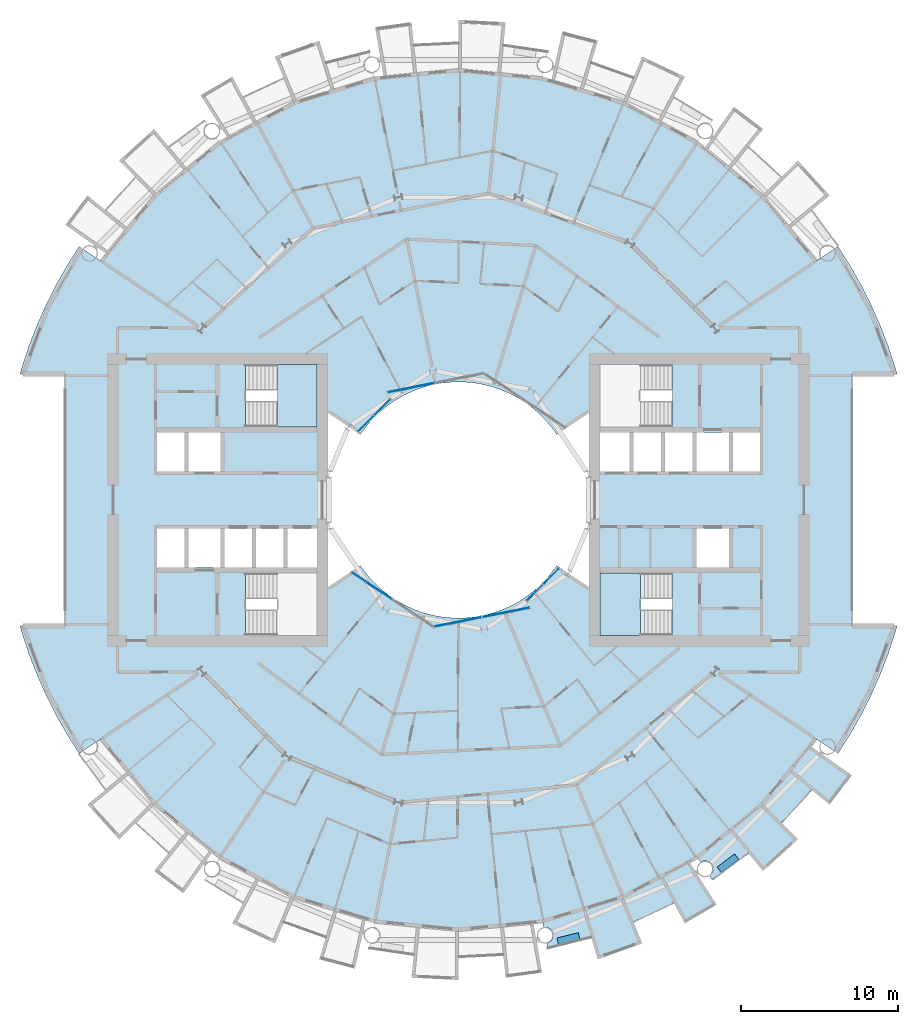
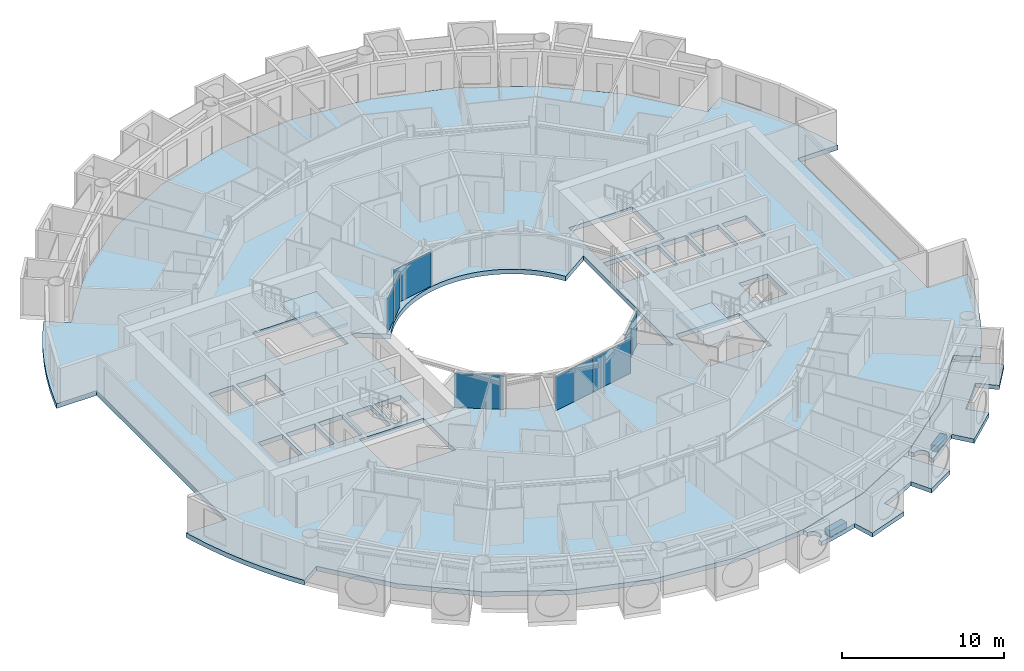
# One storey, part 10 of 26: 8 plates, 7 slabs, 7 elements without a shape of their own.
"""IFC4 building model written with IfcOpenShell, lengths in metres."""

from ifc_helpers import new_model, si_unit, direction, frame, origin, origin_2d, place, context, subcontext, project, spatial, polyline, rectangle, outline, extrude, material, layer, layer_set, type_object, element, aggregate, save


model = new_model("IFC4")

# Units and contexts
model_context = context("Model", 3, precision=1e-05, world=origin(), true_north=direction((0.0, 1.0)))
body_context = subcontext(model_context, "Body", "Model", "MODEL_VIEW")
ifc_project = project(units=[si_unit("LENGTHUNIT", "METRE"), si_unit("AREAUNIT", "SQUARE_METRE"), si_unit("VOLUMEUNIT", "CUBIC_METRE"), si_unit("PLANEANGLEUNIT", "RADIAN"), si_unit("MASSUNIT", "GRAM", prefix="KILO")], contexts=[model_context])

# Site, building, storey
site_placement = place(None, origin())
site = spatial("IfcSite", under=ifc_project, at=site_placement, CompositionType="ELEMENT")
building_placement = place(site_placement, origin())
building = spatial("IfcBuilding", under=site, at=building_placement, Name="Maasbend Ring Residences", CompositionType="ELEMENT")
storey_placement = place(building_placement, frame((0.0, 0.0, 66.64990234375)))
storey = spatial("IfcBuildingStorey", under=building, at=storey_placement, Name="L18", CompositionType="ELEMENT", Elevation=66.64990234375)

# Stair, slab
ifc_material_1 = material(Name="Concrete C40/50", Category="concrete")
stair_type = type_object("IfcStairType", Name="CORE STAIR 18 RISERS", PredefinedType="HALF_TURN_STAIR", material=ifc_material_1)
stair_1_placement = place(storey_placement, origin())
stair_1 = element("IfcStair", 1, at=stair_1_placement, inside=storey, type_object=stair_type, Name="L18 Exit stair ST-E2", PredefinedType="HALF_TURN_STAIR")
ifc_material_2 = material(Name="Concrete C40/50", Category="concrete")
ifc_layer_1 = layer(ifc_material_2, 0.199951171875)
ifc_layer_set_1 = layer_set([ifc_layer_1], Name="Concrete C40/50")
slab_type_1 = type_object("IfcSlabType", Name="CORE STAIR LANDING 200", PredefinedType="LANDING", material=ifc_layer_set_1)
slab_1_placement = place(storey_placement, frame((0.0, 0.0, 1.3251953125)))
slab_1 = element("IfcSlab", 2, at=slab_1_placement, type_object=slab_type_1, Name="ST-E2 landing 1", PredefinedType="LANDING", context=body_context, shape_type="SweptSolid", body=[
    extrude(outline(polyline([(11.550048828125, -4.64990234375), (9.0, -4.64990234375), (9.0, -8.60009765625), (11.550048828125, -8.60009765625), (11.550048828125, -4.64990234375)])), origin(), (0.0, 0.0, 1.0), 0.199951171875),
])
aggregate(stair_1, [slab_1])

stair_2_placement = place(storey_placement, origin())
stair_2 = element("IfcStair", 3, at=stair_2_placement, inside=storey, type_object=stair_type, Name="L18 Exit stair ST-W2", PredefinedType="HALF_TURN_STAIR")
slab_2_placement = place(storey_placement, frame((0.0, 0.0, 1.3251953125)))
slab_2 = element("IfcSlab", 4, at=slab_2_placement, type_object=slab_type_1, Name="ST-W2 landing 1", PredefinedType="LANDING", context=body_context, shape_type="SweptSolid", body=[
    extrude(outline(polyline([(-11.550048828125, 4.64990234375), (-9.0, 4.64990234375), (-9.0, 8.60009765625), (-11.550048828125, 8.60009765625), (-11.550048828125, 4.64990234375)])), origin(), (0.0, 0.0, 1.0), 0.199951171875),
])
aggregate(stair_2, [slab_2])

# Curtain wall, plate
ifc_material_3 = material(Name="Aluminium and clear glass", Category="aluminium")
ifc_layer_2 = layer(ifc_material_3, 0.179931640625)
ifc_layer_set_2 = layer_set([ifc_layer_2], Name="CW-W")
curtain_wall_type = type_object("IfcCurtainWallType", Name="CW-W", PredefinedType="NOTDEFINED", material=ifc_layer_set_2)
curtain_wall_1_placement = place(storey_placement, origin())
curtain_wall_1 = element("IfcCurtainWall", 5, at=curtain_wall_1_placement, inside=storey, type_object=curtain_wall_type, Name="Well curtain wall N2", PredefinedType="NOTDEFINED")
ifc_material_4 = material(Name="Glass clear laminated", Category="glass")
ifc_layer_3 = layer(ifc_material_4, 0.031982421875)
ifc_layer_set_3 = layer_set([ifc_layer_3], Name="CWP-W")
plate_type = type_object("IfcPlateType", Name="CWP-W", PredefinedType="CURTAIN_PANEL", material=ifc_layer_set_3)
plate_1_placement = place(storey_placement, frame((-3.0078125, 7.140380859375, 0.0), z_axis=(0.0, 0.0, 1.0), x_axis=(-0.980785280403, -0.195090322016, 0.0)))
plate_1 = element("IfcPlate", 6, at=plate_1_placement, type_object=plate_type, Name="Glass panel well face", PredefinedType="CURTAIN_PANEL", context=body_context, shape_type="SweptSolid", body=[
    extrude(rectangle(XDim=3.053955078125, YDim=0.031982421875, at=origin_2d()), origin(), (0.0, 0.0, 1.0), 2.580078125),
])
aggregate(curtain_wall_1, [plate_1])

# Curtain wall, plates
curtain_wall_2_placement = place(storey_placement, origin())
curtain_wall_2 = element("IfcCurtainWall", 7, at=curtain_wall_2_placement, inside=storey, type_object=curtain_wall_type, Name="Well curtain wall N3", PredefinedType="NOTDEFINED")
plate_2_placement = place(storey_placement, frame((-4.84375, 5.89013671875, 0.0), z_axis=(0.0, 0.0, 1.0), x_axis=(-0.707106781187, -0.707106781187, 0.0)))
plate_2 = element("IfcPlate", 8, at=plate_2_placement, type_object=plate_type, Name="Glass panel well face", PredefinedType="CURTAIN_PANEL", context=body_context, shape_type="SweptSolid", body=[
    extrude(rectangle(XDim=1.419677734375, YDim=0.031982421875, at=origin_2d()), origin(), (0.0, 0.0, 1.0), 2.580078125),
])
plate_3_placement = place(storey_placement, frame((-5.89013671875, 4.84375, 0.0), z_axis=(0.0, 0.0, 1.0), x_axis=(-0.707106781187, -0.707106781187, 0.0)))
plate_3 = element("IfcPlate", 9, at=plate_3_placement, type_object=plate_type, Name="Glass panel well face", PredefinedType="CURTAIN_PANEL", context=body_context, shape_type="SweptSolid", body=[
    extrude(rectangle(XDim=1.419677734375, YDim=0.031982421875, at=origin_2d()), origin(), (0.0, 0.0, 1.0), 2.580078125),
])
aggregate(curtain_wall_2, [plate_2, plate_3])

# Curtain wall, plate
curtain_wall_3_placement = place(storey_placement, origin())
curtain_wall_3 = element("IfcCurtainWall", 10, at=curtain_wall_3_placement, inside=storey, type_object=curtain_wall_type, Name="Well curtain wall S1", PredefinedType="NOTDEFINED")
plate_4_placement = place(storey_placement, frame((-5.51123046875, -5.44580078125, 0.0), z_axis=(0.0, 0.0, 1.0), x_axis=(0.831469612303, -0.55557023302, 0.0)))
plate_4 = element("IfcPlate", 11, at=plate_4_placement, type_object=plate_type, Name="Glass panel well face", PredefinedType="CURTAIN_PANEL", context=body_context, shape_type="SweptSolid", body=[
    extrude(rectangle(XDim=3.053955078125, YDim=0.031982421875, at=origin_2d()), origin(), (0.0, 0.0, 1.0), 2.580078125),
])
aggregate(curtain_wall_3, [plate_4])

# Curtain wall, plates
curtain_wall_4_placement = place(storey_placement, origin())
curtain_wall_4 = element("IfcCurtainWall", 12, at=curtain_wall_4_placement, inside=storey, type_object=curtain_wall_type, Name="Well curtain wall S2", PredefinedType="NOTDEFINED")
plate_5_placement = place(storey_placement, frame((-0.04638671875, -7.747802734375, 0.0), z_axis=(0.0, 0.0, 1.0), x_axis=(0.980785280403, 0.195090322016, 0.0)))
plate_5 = element("IfcPlate", 13, at=plate_5_placement, type_object=plate_type, Name="Glass panel well face", PredefinedType="CURTAIN_PANEL", context=body_context, shape_type="SweptSolid", body=[
    extrude(rectangle(XDim=3.053955078125, YDim=0.031982421875, at=origin_2d()), origin(), (0.0, 0.0, 1.0), 2.580078125),
])
plate_6_placement = place(storey_placement, frame((3.0078125, -7.140380859375, 0.0), z_axis=(0.0, 0.0, 1.0), x_axis=(0.980785280403, 0.195090322016, 0.0)))
plate_6 = element("IfcPlate", 14, at=plate_6_placement, type_object=plate_type, Name="Glass panel well face", PredefinedType="CURTAIN_PANEL", context=body_context, shape_type="SweptSolid", body=[
    extrude(rectangle(XDim=3.053955078125, YDim=0.031982421875, at=origin_2d()), origin(), (0.0, 0.0, 1.0), 2.580078125),
])
aggregate(curtain_wall_4, [plate_5, plate_6])

curtain_wall_5_placement = place(storey_placement, origin())
curtain_wall_5 = element("IfcCurtainWall", 15, at=curtain_wall_5_placement, inside=storey, type_object=curtain_wall_type, Name="Well curtain wall S3", PredefinedType="NOTDEFINED")
plate_7_placement = place(storey_placement, frame((4.84375, -5.89013671875, 0.0), z_axis=(0.0, 0.0, 1.0), x_axis=(0.707106781187, 0.707106781187, 0.0)))
plate_7 = element("IfcPlate", 16, at=plate_7_placement, type_object=plate_type, Name="Glass panel well face", PredefinedType="CURTAIN_PANEL", context=body_context, shape_type="SweptSolid", body=[
    extrude(rectangle(XDim=1.419677734375, YDim=0.031982421875, at=origin_2d()), origin(), (0.0, 0.0, 1.0), 2.580078125),
])
plate_8_placement = place(storey_placement, frame((5.89013671875, -4.84375, 0.0), z_axis=(0.0, 0.0, 1.0), x_axis=(0.707106781187, 0.707106781187, 0.0)))
plate_8 = element("IfcPlate", 17, at=plate_8_placement, type_object=plate_type, Name="Glass panel well face", PredefinedType="CURTAIN_PANEL", context=body_context, shape_type="SweptSolid", body=[
    extrude(rectangle(XDim=1.419677734375, YDim=0.031982421875, at=origin_2d()), origin(), (0.0, 0.0, 1.0), 2.580078125),
])
aggregate(curtain_wall_5, [plate_7, plate_8])

# Slabs
ifc_material_5 = material(Name="Planting with climbing greenery")
ifc_layer_4 = layer(ifc_material_5, 0.449951171875)
ifc_layer_set_4 = layer_set([ifc_layer_4], Name="PLANTER-LG")
slab_type_2 = type_object("IfcSlabType", Name="PLANTER-LG", PredefinedType="USERDEFINED", material=ifc_layer_set_4)
slab_3_placement = place(storey_placement, frame((0.0, 0.0, -0.02978515625)))
element("IfcSlab", 18, at=slab_3_placement, inside=storey, type_object=slab_type_2, Name="Planter with climbing greenery 4", ObjectType="PLANTER", PredefinedType="USERDEFINED", context=body_context, shape_type="SweptSolid", body=[
    extrude(outline(polyline([(6.35888671875, -28.26708984375), (7.717041015625, -27.927001953125), (7.60791015625, -27.489990234375), (6.25, -27.8310546875), (6.35888671875, -28.26708984375)])), origin(), (0.0, 0.0, 1.0), 0.449951171875),
])
slab_4_placement = place(storey_placement, frame((0.0, 0.0, -0.02978515625)))
element("IfcSlab", 19, at=slab_4_placement, inside=storey, type_object=slab_type_2, Name="Planter with climbing greenery 5", ObjectType="PLANTER", PredefinedType="USERDEFINED", context=body_context, shape_type="SweptSolid", body=[
    extrude(outline(polyline([(16.69189453125, -23.681884765625), (17.81689453125, -22.847900390625), (17.549072265625, -22.487060546875), (16.424072265625, -23.321044921875), (16.69189453125, -23.681884765625)])), origin(), (0.0, 0.0, 1.0), 0.449951171875),
])
ifc_material_6 = material(Name="Concrete C40/50", Category="concrete")
ifc_layer_5 = layer(ifc_material_6, 0.35009765625)
ifc_layer_set_5 = layer_set([ifc_layer_5], Name="Concrete C40/50")
slab_type_3 = type_object("IfcSlabType", Name="Post-tensioned flat plate 350", PredefinedType="FLOOR", material=ifc_layer_set_5)
slab_5_placement = place(storey_placement, frame((0.0, 0.0, -0.349853515625)))
element("IfcSlab", 20, at=slab_5_placement, inside=storey, type_object=slab_type_3, Name="Floor slab L18", PredefinedType="FLOOR", context=body_context, shape_type="SweptSolid", body=[
    extrude(outline(polyline([(24.8740234375, -14.908935546875), (25.57568359375, -13.67041015625), (26.2158203125, -12.399169921875), (26.79248046875, -11.097900390625), (27.3046875, -9.769775390625), (27.751220703125, -8.418212890625), (27.866943359375, -8.0), (25.0, -8.0), (25.0, 8.0), (27.866943359375, 8.0), (27.751220703125, 8.418212890625), (27.3046875, 9.769775390625), (26.79248046875, 11.097900390625), (26.2158203125, 12.399169921875), (25.57568359375, 13.67041015625), (24.8740234375, 14.908935546875), (24.112548828125, 16.111572265625), (22.69921875, 15.1669921875), (19.303955078125, 19.303955078125), (15.1669921875, 22.69921875), (10.447265625, 25.221923828125), (5.325927734375, 26.775390625), (0.0, 27.300048828125), (-5.325927734375, 26.775390625), (-10.447265625, 25.221923828125), (-15.1669921875, 22.69921875), (-19.303955078125, 19.303955078125), (-22.69921875, 15.1669921875), (-24.112548828125, 16.111572265625), (-24.8740234375, 14.908935546875), (-25.57568359375, 13.67041015625), (-26.2158203125, 12.399169921875), (-26.79248046875, 11.097900390625), (-27.3046875, 9.769775390625), (-27.751220703125, 8.418212890625), (-27.866943359375, 8.0), (-25.0, 8.0), (-25.0, -8.0), (-27.866943359375, -8.0), (-27.751220703125, -8.418212890625), (-27.3046875, -9.769775390625), (-26.79248046875, -11.097900390625), (-26.2158203125, -12.399169921875), (-25.57568359375, -13.67041015625), (-24.8740234375, -14.908935546875), (-24.112548828125, -16.111572265625), (-22.69921875, -15.1669921875), (-19.303955078125, -19.303955078125), (-15.1669921875, -22.69921875), (-10.447265625, -25.221923828125), (-5.325927734375, -26.775390625), (0.0, -27.300048828125), (5.325927734375, -26.775390625), (10.447265625, -25.221923828125), (15.1669921875, -22.69921875), (19.303955078125, -19.303955078125), (22.69921875, -15.1669921875), (24.112548828125, -16.111572265625), (24.8740234375, -14.908935546875)]), holes=[polyline([(17.425048828125, 4.27490234375), (19.14990234375, 4.27490234375), (19.14990234375, 1.824951171875), (17.425048828125, 1.824951171875), (17.425048828125, 4.27490234375)]), polyline([(15.125, 1.824951171875), (15.125, 4.27490234375), (17.175048828125, 4.27490234375), (17.175048828125, 1.824951171875), (15.125, 1.824951171875)]), polyline([(15.125, -4.27490234375), (15.125, -1.824951171875), (17.175048828125, -1.824951171875), (17.175048828125, -4.27490234375), (15.125, -4.27490234375)]), polyline([(13.125, 1.824951171875), (13.125, 4.27490234375), (14.875, 4.27490234375), (14.875, 1.824951171875), (13.125, 1.824951171875)]), polyline([(13.550048828125, 4.64990234375), (9.0, 4.64990234375), (9.0, 8.60009765625), (13.550048828125, 8.60009765625), (13.550048828125, 4.64990234375)]), polyline([(13.550048828125, -4.64990234375), (13.550048828125, -8.60009765625), (9.0, -8.60009765625), (9.0, -4.64990234375), (13.550048828125, -4.64990234375)]), polyline([(11.125, 1.824951171875), (11.125, 4.27490234375), (12.875, 4.27490234375), (12.875, 1.824951171875), (11.125, 1.824951171875)]), polyline([(9.0, 1.824951171875), (9.0, 4.27490234375), (10.875, 4.27490234375), (10.875, 1.824951171875), (9.0, 1.824951171875)]), polyline([(6.024169921875, 4.4677734375), (6.236083984375, 4.166748046875), (8.300048828125, 5.5458984375), (8.300048828125, -5.5458984375), (6.236083984375, -4.166748046875), (6.024169921875, -4.4677734375), (5.797607421875, -4.7578125), (5.55712890625, -5.03662109375), (5.30322265625, -5.30322265625), (5.03662109375, -5.55712890625), (4.7578125, -5.797607421875), (4.4677734375, -6.024169921875), (4.166748046875, -6.236083984375), (3.855712890625, -6.43310546875), (3.535400390625, -6.614501953125), (3.206787109375, -6.77978515625), (2.8701171875, -6.92919921875), (2.526611328125, -7.0615234375), (2.177001953125, -7.177001953125), (1.822509765625, -7.275146484375), (1.463134765625, -7.35595703125), (1.1005859375, -7.418701171875), (0.735107421875, -7.4638671875), (0.367919921875, -7.490966796875), (0.0, -7.5), (-0.367919921875, -7.490966796875), (-0.735107421875, -7.4638671875), (-1.1005859375, -7.418701171875), (-1.463134765625, -7.35595703125), (-1.822509765625, -7.275146484375), (-2.177001953125, -7.177001953125), (-2.526611328125, -7.0615234375), (-2.8701171875, -6.92919921875), (-3.206787109375, -6.77978515625), (-3.535400390625, -6.614501953125), (-3.855712890625, -6.43310546875), (-4.166748046875, -6.236083984375), (-4.4677734375, -6.024169921875), (-4.7578125, -5.797607421875), (-5.03662109375, -5.55712890625), (-5.30322265625, -5.30322265625), (-5.55712890625, -5.03662109375), (-5.797607421875, -4.7578125), (-6.024169921875, -4.4677734375), (-6.236083984375, -4.166748046875), (-8.300048828125, -5.5458984375), (-8.300048828125, 5.5458984375), (-6.236083984375, 4.166748046875), (-6.236083984375, 4.166748046875), (-6.024169921875, 4.4677734375), (-5.797607421875, 4.7578125), (-5.55712890625, 5.03662109375), (-5.30322265625, 5.30322265625), (-5.03662109375, 5.55712890625), (-4.7578125, 5.797607421875), (-4.4677734375, 6.024169921875), (-4.166748046875, 6.236083984375), (-3.855712890625, 6.43310546875), (-3.535400390625, 6.614501953125), (-3.206787109375, 6.77978515625), (-2.8701171875, 6.92919921875), (-2.526611328125, 7.0615234375), (-2.177001953125, 7.177001953125), (-1.822509765625, 7.275146484375), (-1.463134765625, 7.35595703125), (-1.1005859375, 7.418701171875), (-0.735107421875, 7.4638671875), (-0.367919921875, 7.490966796875), (0.0, 7.5), (0.367919921875, 7.490966796875), (0.735107421875, 7.4638671875), (1.1005859375, 7.418701171875), (1.463134765625, 7.35595703125), (1.822509765625, 7.275146484375), (2.177001953125, 7.177001953125), (2.526611328125, 7.0615234375), (2.8701171875, 6.92919921875), (3.206787109375, 6.77978515625), (3.535400390625, 6.614501953125), (3.855712890625, 6.43310546875), (4.166748046875, 6.236083984375), (4.4677734375, 6.024169921875), (4.7578125, 5.797607421875), (5.03662109375, 5.55712890625), (5.30322265625, 5.30322265625), (5.55712890625, 5.03662109375), (5.797607421875, 4.7578125), (6.024169921875, 4.4677734375)]), polyline([(-13.550048828125, 4.64990234375), (-13.550048828125, 8.60009765625), (-9.0, 8.60009765625), (-9.0, 4.64990234375), (-13.550048828125, 4.64990234375)]), polyline([(-13.550048828125, -8.60009765625), (-13.550048828125, -4.64990234375), (-9.0, -4.64990234375), (-9.0, -8.60009765625), (-13.550048828125, -8.60009765625)]), polyline([(-9.0, -1.824951171875), (-9.0, -4.27490234375), (-10.875, -4.27490234375), (-10.875, -1.824951171875), (-9.0, -1.824951171875)]), polyline([(-11.125, -1.824951171875), (-11.125, -4.27490234375), (-12.875, -4.27490234375), (-12.875, -1.824951171875), (-11.125, -1.824951171875)]), polyline([(-13.125, -1.824951171875), (-13.125, -4.27490234375), (-14.875, -4.27490234375), (-14.875, -1.824951171875), (-13.125, -1.824951171875)]), polyline([(-15.125, 4.27490234375), (-15.125, 1.824951171875), (-17.175048828125, 1.824951171875), (-17.175048828125, 4.27490234375), (-15.125, 4.27490234375)]), polyline([(-15.125, -1.824951171875), (-15.125, -4.27490234375), (-17.175048828125, -4.27490234375), (-17.175048828125, -1.824951171875), (-15.125, -1.824951171875)]), polyline([(-17.425048828125, -1.824951171875), (-17.425048828125, -4.27490234375), (-19.14990234375, -4.27490234375), (-19.14990234375, -1.824951171875), (-17.425048828125, -1.824951171875)]), polyline([(-17.425048828125, 4.27490234375), (-17.425048828125, 1.824951171875), (-19.14990234375, 1.824951171875), (-19.14990234375, 4.27490234375), (-17.425048828125, 4.27490234375)])]), origin(), (0.0, 0.0, 1.0), 0.349853515625),
])
ifc_material_7 = material(Name="Concrete C40/50", Category="concrete")
ifc_layer_6 = layer(ifc_material_7, 0.199951171875)
ifc_layer_set_6 = layer_set([ifc_layer_6], Name="Concrete C40/50")
slab_type_4 = type_object("IfcSlabType", Name="SL-LOGGIA", PredefinedType="FLOOR", material=ifc_layer_set_6)
slab_6_placement = place(storey_placement, frame((0.0, 0.0, -0.349853515625)))
element("IfcSlab", 21, at=slab_6_placement, inside=storey, type_object=slab_type_4, Name="Loggia floor 2", PredefinedType="FLOOR", context=body_context, shape_type="SweptSolid", body=[
    extrude(outline(polyline([(10.447021484375, -25.221923828125), (12.806884765625, -23.9609375), (14.64599609375, -22.97705078125), (14.64599609375, -22.97705078125), (14.64599609375, -22.97705078125), (16.39404296875, -25.718994140625), (16.39404296875, -25.718994140625), (16.39404296875, -25.718994140625), (14.3779296875, -26.89892578125), (14.3779296875, -26.89892578125), (14.3779296875, -26.89892578125), (13.6708984375, -25.575927734375), (13.6708984375, -25.575927734375), (13.6708984375, -25.575927734375), (13.6708984375, -25.575927734375), (13.6708984375, -25.575927734375), (13.6708984375, -25.575927734375), (13.6708984375, -25.575927734375), (13.669921875, -25.575927734375), (13.669921875, -25.575927734375), (13.669921875, -25.575927734375), (13.669921875, -25.575927734375), (13.669921875, -25.575927734375), (13.669921875, -25.575927734375), (13.669921875, -25.575927734375), (13.669921875, -25.575927734375), (13.669921875, -25.575927734375), (13.669921875, -25.575927734375), (12.825927734375, -26.009033203125), (12.825927734375, -26.009033203125), (11.968994140625, -26.4150390625), (11.968994140625, -26.4150390625), (11.097900390625, -26.7919921875), (11.097900390625, -26.7919921875), (11.097900390625, -26.7919921875), (11.097900390625, -26.7919921875), (11.097900390625, -26.7919921875), (11.097900390625, -26.7919921875), (11.097900390625, -26.7919921875), (11.097900390625, -26.79296875), (11.097900390625, -26.79296875), (11.097900390625, -26.79296875), (11.097900390625, -26.79296875), (11.097900390625, -26.79296875), (11.097900390625, -26.79296875), (11.097900390625, -26.79296875), (11.097900390625, -26.79296875), (11.097900390625, -26.79296875), (11.097900390625, -26.79296875), (11.672119140625, -28.177978515625), (11.672119140625, -28.177978515625), (11.672119140625, -28.177978515625), (8.85400390625, -29.18701171875), (8.85400390625, -29.18701171875), (8.85400390625, -29.18701171875), (8.41796875, -27.751953125), (8.41796875, -27.751953125), (8.41796875, -27.751953125), (8.41796875, -27.751953125), (8.41796875, -27.751953125), (8.41796875, -27.751953125), (8.41796875, -27.751953125), (8.41796875, -27.7509765625), (8.41796875, -27.7509765625), (8.41796875, -27.7509765625), (8.41796875, -27.7509765625), (8.41796875, -27.7509765625), (8.41796875, -27.7509765625), (8.41796875, -27.7509765625), (8.41796875, -27.7509765625), (8.41796875, -27.7509765625), (8.41796875, -27.7509765625), (7.506103515625, -28.011962890625), (7.506103515625, -28.011962890625), (6.5849609375, -28.241943359375), (6.5849609375, -28.241943359375), (5.657958984375, -28.443115234375), (5.657958984375, -28.443115234375), (5.657958984375, -28.443115234375), (5.60107421875, -28.156005859375), (5.613037109375, -28.154052734375), (5.625, -28.15087890625), (5.636962890625, -28.14794921875), (5.64892578125, -28.14404296875), (5.660888671875, -28.139892578125), (5.673095703125, -28.135986328125), (5.68408203125, -28.132080078125), (5.696044921875, -28.126953125), (5.70703125, -28.123046875), (5.718994140625, -28.116943359375), (5.72998046875, -28.112060546875), (5.740966796875, -28.10595703125), (5.751953125, -28.10009765625), (5.762939453125, -28.093994140625), (5.77294921875, -28.0869140625), (5.783935546875, -28.080078125), (5.7939453125, -28.072998046875), (5.803955078125, -28.06591796875), (5.81396484375, -28.05908203125), (5.823974609375, -28.051025390625), (5.8330078125, -28.04296875), (5.843017578125, -28.034912109375), (5.85205078125, -28.02587890625), (5.861083984375, -28.01708984375), (5.868896484375, -28.008056640625), (5.8779296875, -27.9990234375), (5.885986328125, -27.989990234375), (5.89404296875, -27.97998046875), (5.902099609375, -27.970947265625), (5.909912109375, -27.9609375), (5.9169921875, -27.950927734375), (5.924072265625, -27.93994140625), (5.930908203125, -27.929931640625), (5.93701171875, -27.9189453125), (5.944091796875, -27.907958984375), (5.949951171875, -27.89794921875), (5.955078125, -27.886962890625), (5.9609375, -27.875), (5.966064453125, -27.864013671875), (5.970947265625, -27.85302734375), (5.97509765625, -27.841064453125), (5.97998046875, -27.8291015625), (5.98388671875, -27.81689453125), (5.988037109375, -27.805908203125), (5.990966796875, -27.7939453125), (5.993896484375, -27.781982421875), (5.9970703125, -27.76904296875), (6.0, -27.757080078125), (6.001953125, -27.7451171875), (6.00390625, -27.73291015625), (6.006103515625, -27.719970703125), (6.007080078125, -27.7080078125), (6.008056640625, -27.695068359375), (6.009033203125, -27.68310546875), (6.009033203125, -27.6708984375), (6.010009765625, -27.657958984375), (6.009033203125, -27.64599609375), (6.009033203125, -27.633056640625), (6.008056640625, -27.62109375), (6.007080078125, -27.60791015625), (6.006103515625, -27.595947265625), (6.00390625, -27.583984375), (6.001953125, -27.571044921875), (6.0, -27.55908203125), (5.9970703125, -27.547119140625), (5.993896484375, -27.534912109375), (5.990966796875, -27.52294921875), (5.988037109375, -27.510986328125), (5.98388671875, -27.4990234375), (5.97998046875, -27.487060546875), (5.97509765625, -27.47509765625), (5.970947265625, -27.464111328125), (5.966064453125, -27.451904296875), (5.9609375, -27.44091796875), (5.955078125, -27.429931640625), (5.949951171875, -27.4189453125), (5.944091796875, -27.407958984375), (5.93701171875, -27.39697265625), (5.930908203125, -27.385986328125), (5.924072265625, -27.3759765625), (5.9169921875, -27.365966796875), (5.909912109375, -27.35498046875), (5.902099609375, -27.345947265625), (5.89404296875, -27.3359375), (5.885986328125, -27.325927734375), (5.8779296875, -27.31689453125), (5.868896484375, -27.30810546875), (5.861083984375, -27.299072265625), (5.85205078125, -27.2900390625), (5.843017578125, -27.281982421875), (5.8330078125, -27.27294921875), (5.823974609375, -27.264892578125), (5.81396484375, -27.258056640625), (5.803955078125, -27.25), (5.7939453125, -27.242919921875), (5.783935546875, -27.236083984375), (5.77294921875, -27.22900390625), (5.762939453125, -27.221923828125), (5.751953125, -27.216064453125), (5.740966796875, -27.2099609375), (5.72998046875, -27.2041015625), (5.718994140625, -27.198974609375), (5.70703125, -27.194091796875), (5.696044921875, -27.18896484375), (5.68408203125, -27.18408203125), (5.673095703125, -27.179931640625), (5.660888671875, -27.176025390625), (5.64892578125, -27.172119140625), (5.636962890625, -27.1689453125), (5.625, -27.1650390625), (5.613037109375, -27.162109375), (5.60107421875, -27.159912109375), (5.587890625, -27.157958984375), (5.575927734375, -27.156005859375), (5.56396484375, -27.154052734375), (5.551025390625, -27.153076171875), (5.5390625, -27.15087890625), (5.52587890625, -27.15087890625), (5.513916015625, -27.14990234375), (5.501953125, -27.14990234375), (5.489013671875, -27.14990234375), (5.47705078125, -27.15087890625), (5.464111328125, -27.15087890625), (5.451904296875, -27.153076171875), (5.43896484375, -27.154052734375), (5.427001953125, -27.156005859375), (5.4150390625, -27.157958984375), (5.402099609375, -27.159912109375), (5.325927734375, -26.77490234375), (5.325927734375, -26.77490234375), (5.325927734375, -26.77490234375), (7.886962890625, -25.9990234375), (10.447021484375, -25.221923828125), (10.447021484375, -25.221923828125), (10.447021484375, -25.221923828125)])), origin(), (0.0, 0.0, 1.0), 0.320068359375),
])
slab_7_placement = place(storey_placement, frame((0.0, 0.0, -0.349853515625)))
element("IfcSlab", 22, at=slab_7_placement, inside=storey, type_object=slab_type_4, Name="Loggia floor 5", PredefinedType="FLOOR", context=body_context, shape_type="SweptSolid", body=[
    extrude(outline(polyline([(19.303955078125, -19.303955078125), (21.001953125, -17.236083984375), (22.324951171875, -15.623046875), (22.324951171875, -15.623046875), (22.324951171875, -15.623046875), (24.989013671875, -17.488037109375), (24.989013671875, -17.488037109375), (24.989013671875, -17.488037109375), (23.576904296875, -19.34912109375), (23.576904296875, -19.34912109375), (23.576904296875, -19.34912109375), (22.41796875, -18.39794921875), (22.41796875, -18.39794921875), (22.41796875, -18.39794921875), (22.41796875, -18.39794921875), (22.41796875, -18.39794921875), (22.4169921875, -18.39794921875), (22.4169921875, -18.39794921875), (22.4169921875, -18.39794921875), (22.4169921875, -18.39794921875), (22.4169921875, -18.39794921875), (22.4169921875, -18.39794921875), (22.4169921875, -18.39794921875), (22.4169921875, -18.39794921875), (22.4169921875, -18.39794921875), (22.4169921875, -18.39794921875), (22.4169921875, -18.39794921875), (22.4169921875, -18.39794921875), (21.802978515625, -19.12109375), (21.802978515625, -19.12109375), (21.166015625, -19.823974609375), (21.166015625, -19.823974609375), (20.506103515625, -20.506103515625), (20.506103515625, -20.506103515625), (20.506103515625, -20.506103515625), (20.506103515625, -20.506103515625), (20.506103515625, -20.506103515625), (20.506103515625, -20.506103515625), (20.506103515625, -20.506103515625), (20.506103515625, -20.506103515625), (20.506103515625, -20.506103515625), (20.506103515625, -20.506103515625), (20.506103515625, -20.506103515625), (20.506103515625, -20.506103515625), (20.506103515625, -20.506103515625), (20.506103515625, -20.506103515625), (20.506103515625, -20.506103515625), (20.506103515625, -20.506103515625), (20.506103515625, -20.506103515625), (21.56689453125, -21.56689453125), (21.56689453125, -21.56689453125), (21.56689453125, -21.56689453125), (19.34912109375, -23.576904296875), (19.34912109375, -23.576904296875), (19.34912109375, -23.576904296875), (18.39794921875, -22.41796875), (18.39794921875, -22.41796875), (18.39794921875, -22.41796875), (18.39794921875, -22.41796875), (18.39794921875, -22.41796875), (18.39794921875, -22.41796875), (18.39697265625, -22.41796875), (18.39697265625, -22.41796875), (18.39697265625, -22.41796875), (18.39697265625, -22.41796875), (18.39697265625, -22.41796875), (18.39697265625, -22.41796875), (18.39697265625, -22.41796875), (18.39697265625, -22.41796875), (18.39697265625, -22.41796875), (18.39697265625, -22.41796875), (18.39697265625, -22.41796875), (17.654052734375, -23.007080078125), (17.654052734375, -23.007080078125), (16.89208984375, -23.572998046875), (16.89208984375, -23.572998046875), (16.112060546875, -24.113037109375), (16.112060546875, -24.113037109375), (16.112060546875, -24.113037109375), (15.948974609375, -23.8701171875), (15.948974609375, -23.8701171875), (15.9599609375, -23.863037109375), (15.969970703125, -23.85498046875), (15.97998046875, -23.847900390625), (15.989013671875, -23.840087890625), (15.9990234375, -23.83203125), (16.008056640625, -23.823974609375), (16.01708984375, -23.81494140625), (16.02587890625, -23.806884765625), (16.034912109375, -23.798095703125), (16.0439453125, -23.7890625), (16.052001953125, -23.779052734375), (16.06005859375, -23.77001953125), (16.068115234375, -23.760009765625), (16.074951171875, -23.75), (16.08203125, -23.739990234375), (16.089111328125, -23.72998046875), (16.095947265625, -23.718994140625), (16.10302734375, -23.708984375), (16.10888671875, -23.697998046875), (16.114990234375, -23.68701171875), (16.12109375, -23.676025390625), (16.1259765625, -23.6650390625), (16.132080078125, -23.653076171875), (16.135986328125, -23.64208984375), (16.14111328125, -23.6298828125), (16.14501953125, -23.618896484375), (16.14892578125, -23.60693359375), (16.153076171875, -23.594970703125), (16.156982421875, -23.5830078125), (16.159912109375, -23.571044921875), (16.1630859375, -23.55908203125), (16.1650390625, -23.547119140625), (16.16796875, -23.533935546875), (16.169921875, -23.52197265625), (16.1708984375, -23.510009765625), (16.173095703125, -23.4970703125), (16.174072265625, -23.485107421875), (16.174072265625, -23.471923828125), (16.175048828125, -23.4599609375), (16.175048828125, -23.447021484375), (16.175048828125, -23.43505859375), (16.174072265625, -23.422119140625), (16.174072265625, -23.409912109375), (16.173095703125, -23.39794921875), (16.1708984375, -23.385009765625), (16.169921875, -23.373046875), (16.16796875, -23.361083984375), (16.1650390625, -23.347900390625), (16.1630859375, -23.3359375), (16.159912109375, -23.323974609375), (16.156982421875, -23.31201171875), (16.153076171875, -23.300048828125), (16.14892578125, -23.2880859375), (16.14501953125, -23.27587890625), (16.14111328125, -23.264892578125), (16.135986328125, -23.2529296875), (16.132080078125, -23.241943359375), (16.1259765625, -23.22998046875), (16.12109375, -23.218994140625), (16.114990234375, -23.2080078125), (16.10888671875, -23.197021484375), (16.10302734375, -23.18603515625), (16.095947265625, -23.176025390625), (16.089111328125, -23.1650390625), (16.08203125, -23.155029296875), (16.074951171875, -23.14501953125), (16.068115234375, -23.135009765625), (16.06005859375, -23.125), (16.052001953125, -23.115966796875), (16.0439453125, -23.10595703125), (16.034912109375, -23.096923828125), (16.02587890625, -23.087890625), (16.01708984375, -23.0791015625), (16.008056640625, -23.071044921875), (15.9990234375, -23.06298828125), (15.989013671875, -23.054931640625), (15.97998046875, -23.047119140625), (15.969970703125, -23.0390625), (15.9599609375, -23.031982421875), (15.948974609375, -23.02490234375), (15.93896484375, -23.01806640625), (15.927978515625, -23.011962890625), (15.9169921875, -23.0048828125), (15.906982421875, -22.9990234375), (15.89599609375, -22.993896484375), (15.884033203125, -22.988037109375), (15.873046875, -22.98291015625), (15.862060546875, -22.97802734375), (15.85009765625, -22.972900390625), (15.837890625, -22.968994140625), (15.825927734375, -22.965087890625), (15.81494140625, -22.9609375), (15.802978515625, -22.9580078125), (15.791015625, -22.955078125), (15.778076171875, -22.951904296875), (15.76611328125, -22.948974609375), (15.75390625, -22.947021484375), (15.741943359375, -22.945068359375), (15.72900390625, -22.943115234375), (15.717041015625, -22.94189453125), (15.7041015625, -22.94091796875), (15.69189453125, -22.93994140625), (15.679931640625, -22.93994140625), (15.6669921875, -22.93896484375), (15.655029296875, -22.93994140625), (15.64208984375, -22.93994140625), (15.6298828125, -22.94091796875), (15.616943359375, -22.94189453125), (15.60498046875, -22.943115234375), (15.593017578125, -22.945068359375), (15.580078125, -22.947021484375), (15.568115234375, -22.948974609375), (15.555908203125, -22.951904296875), (15.5439453125, -22.955078125), (15.531982421875, -22.9580078125), (15.52001953125, -22.9609375), (15.508056640625, -22.965087890625), (15.49609375, -22.968994140625), (15.48388671875, -22.972900390625), (15.472900390625, -22.97802734375), (15.4609375, -22.98291015625), (15.449951171875, -22.988037109375), (15.43896484375, -22.993896484375), (15.427978515625, -22.9990234375), (15.4169921875, -23.0048828125), (15.406005859375, -23.011962890625), (15.39501953125, -23.01806640625), (15.385009765625, -23.02490234375), (15.385009765625, -23.02490234375), (15.1669921875, -22.698974609375), (15.1669921875, -22.698974609375), (15.1669921875, -22.698974609375), (17.236083984375, -21.001953125), (19.303955078125, -19.303955078125), (19.303955078125, -19.303955078125), (19.303955078125, -19.303955078125)])), origin(), (0.0, 0.0, 1.0), 0.320068359375),
])

save(model, "model.ifc")
